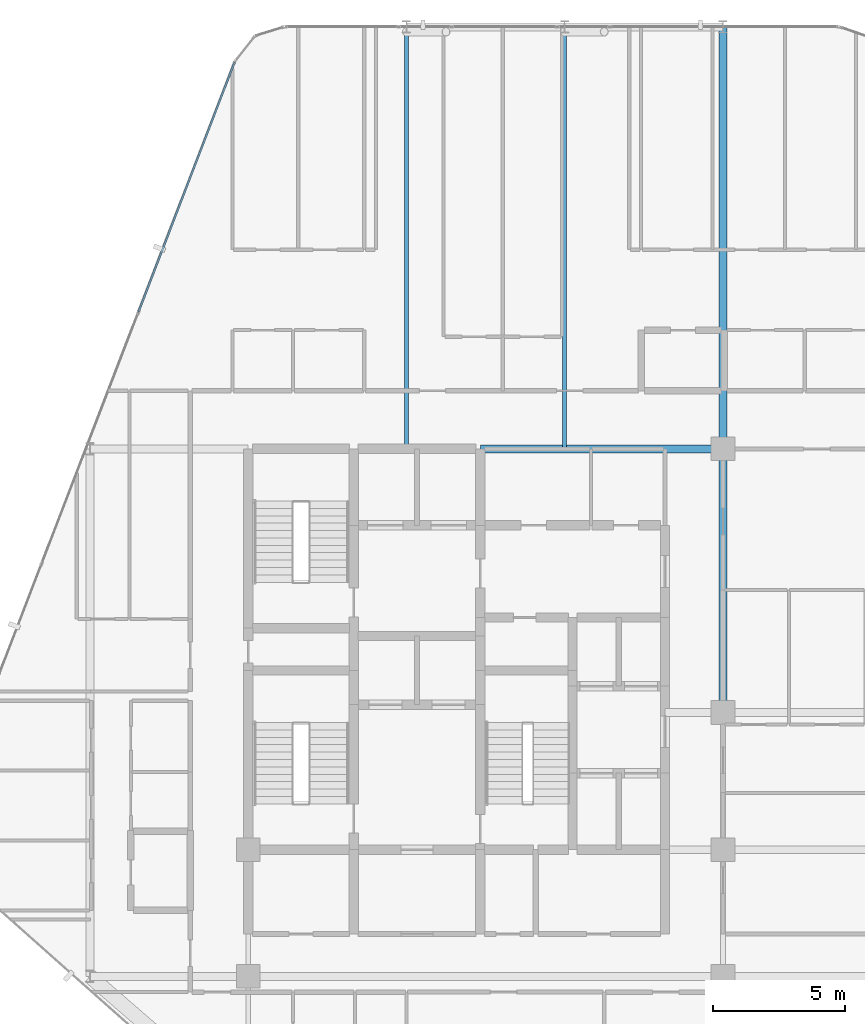
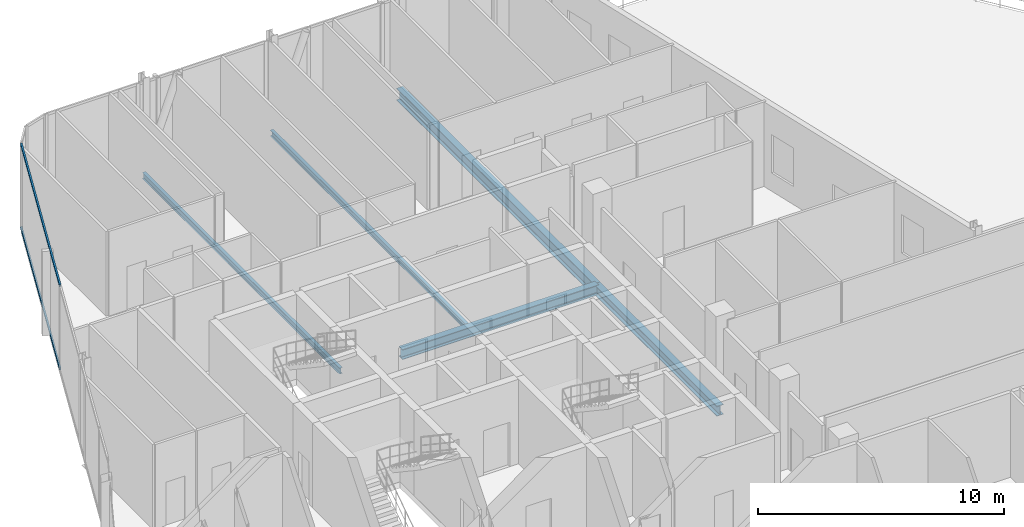
# One storey, part 16 of 28: 5 beams, 2 members, 1 element without a shape of its own.
"""IFC4 building model written with IfcOpenShell, lengths in metres."""

from ifc_helpers import new_model, si_unit, direction, frame, origin, origin_2d, place, context, subcontext, project, spatial, hollow_rectangle, i_section, extrude, material, layer, layer_set, material_profile, profile_set, type_object, element, aggregate, save


model = new_model("IFC4")

# Units and contexts
model_context = context("Model", 3, precision=1e-05, world=origin(), true_north=direction((0.0, 1.0)))
body_context = subcontext(model_context, "Body", "Model", "MODEL_VIEW")
ifc_project = project(units=[si_unit("LENGTHUNIT", "METRE"), si_unit("AREAUNIT", "SQUARE_METRE"), si_unit("VOLUMEUNIT", "CUBIC_METRE"), si_unit("PLANEANGLEUNIT", "RADIAN"), si_unit("MASSUNIT", "GRAM", prefix="KILO")], contexts=[model_context])

# Site, building, storey
site_placement = place(None, origin())
site = spatial("IfcSite", under=ifc_project, at=site_placement, CompositionType="ELEMENT")
building_placement = place(site_placement, origin())
building = spatial("IfcBuilding", under=site, at=building_placement, Name="Keshet Zoharim Tower", CompositionType="ELEMENT")
storey_placement = place(building_placement, frame((0.0, 0.0, 164.60009765625)))
storey = spatial("IfcBuildingStorey", under=building, at=storey_placement, Name="L40", CompositionType="ELEMENT", Elevation=164.60009765625)

# Beams
ifc_material_1 = material(Name="Steel S355", Category="steel")
ifc_material_profile_1 = material_profile(ifc_material_1, i_section(OverallWidth=0.14990234375, OverallDepth=0.300048828125, WebThickness=0.007080078125, FlangeThickness=0.0107421875, FilletRadius=0.014892578125, at=origin_2d()), Name="IPE300")
ifc_profile_set_1 = profile_set([ifc_material_profile_1], Name="Steel S355")
beam_type_1 = type_object("IfcBeamType", Name="BM-JST-IP300", PredefinedType="JOIST", material=ifc_profile_set_1)
for number, where, z_axis, x_axis, name in (
    (1, (21.0, 37.89990234375, -0.460205078125), (0.0, 1.0, 0.0), (-1.0, 0.0, 0.0), "L40 Secondary Floor Joist J-001"),
    (2, (27.0, 37.89990234375, -0.460205078125), (0.0, 1.0, 0.0), (-1.0, 0.0, 0.0), "L40 Secondary Floor Joist J-002"),
):
    element("IfcBeam", number, at=place(storey_placement, frame(where, z_axis=z_axis, x_axis=x_axis)), inside=storey, type_object=beam_type_1, Name=name, PredefinedType="JOIST", context=body_context, shape_type="SweptSolid", body=[
        extrude(i_section(OverallWidth=0.14990234375, OverallDepth=0.300048828125, WebThickness=0.007080078125, FlangeThickness=0.0107421875, FilletRadius=0.014892578125, at=origin_2d()), origin(), (0.0, 0.0, 1.0), 16.0),
    ])
ifc_material_profile_2 = material_profile(ifc_material_1, i_section(OverallWidth=0.300048828125, OverallDepth=0.60009765625, WebThickness=0.015380859375, FlangeThickness=0.030029296875, FilletRadius=0.027099609375, at=origin_2d()), Name="HEB600")
ifc_profile_set_2 = profile_set([ifc_material_profile_2], Name="Steel S355")
beam_type_2 = type_object("IfcBeamType", Name="BM-LNG-HB600", PredefinedType="BEAM", material=ifc_profile_set_2)
beam_1_placement = place(storey_placement, frame((33.0, 37.89990234375, -0.610107421875), z_axis=(0.0, 1.0, 0.0), x_axis=(-1.0, 0.0, 0.0)))
element("IfcBeam", 3, at=beam_1_placement, inside=storey, type_object=beam_type_2, Name="L40 Primary Girder Y-011", PredefinedType="BEAM", context=body_context, shape_type="SweptSolid", body=[
    extrude(i_section(OverallWidth=0.300048828125, OverallDepth=0.60009765625, WebThickness=0.015380859375, FlangeThickness=0.030029296875, FilletRadius=0.027099609375, at=origin_2d()), origin(), (0.0, 0.0, 1.0), 16.0),
])
ifc_material_profile_3 = material_profile(ifc_material_1, i_section(OverallWidth=0.300048828125, OverallDepth=0.5, WebThickness=0.014404296875, FlangeThickness=0.028076171875, FilletRadius=0.027099609375, at=origin_2d()), Name="HEB500")
ifc_profile_set_3 = profile_set([ifc_material_profile_3], Name="Steel S355")
beam_type_3 = type_object("IfcBeamType", Name="BM-MED-HB500", PredefinedType="BEAM", material=ifc_profile_set_3)
beam_2_placement = place(storey_placement, frame((23.800048828125, 37.89990234375, -0.56005859375), z_axis=(1.0, 0.0, 0.0), x_axis=(0.0, 1.0, 0.0)))
element("IfcBeam", 4, at=beam_2_placement, inside=storey, type_object=beam_type_3, Name="L40 Primary Girder X-018", PredefinedType="BEAM", context=body_context, shape_type="SweptSolid", body=[
    extrude(i_section(OverallWidth=0.300048828125, OverallDepth=0.5, WebThickness=0.014404296875, FlangeThickness=0.028076171875, FilletRadius=0.027099609375, at=origin_2d()), origin(), (0.0, 0.0, 1.0), 9.199951171875),
])
beam_3_placement = place(storey_placement, frame((33.0, 27.89990234375, -0.56005859375), z_axis=(0.0, 1.0, 0.0), x_axis=(-1.0, 0.0, 0.0)))
element("IfcBeam", 5, at=beam_3_placement, inside=storey, type_object=beam_type_3, Name="L40 Primary Girder Y-010", PredefinedType="BEAM", context=body_context, shape_type="SweptSolid", body=[
    extrude(i_section(OverallWidth=0.300048828125, OverallDepth=0.5, WebThickness=0.014404296875, FlangeThickness=0.028076171875, FilletRadius=0.027099609375, at=origin_2d()), origin(), (0.0, 0.0, 1.0), 10.0),
])

# Curtain wall, members
ifc_material_2 = material(Name="Aluminium 6063-T6", Category="aluminium")
ifc_layer = layer(ifc_material_2, 0.139892578125)
ifc_layer_set = layer_set([ifc_layer], Name="Aluminium 6063-T6")
curtain_wall_type = type_object("IfcCurtainWallType", Name="CW-SYS-05", PredefinedType="NOTDEFINED", material=ifc_layer_set)
curtain_wall_placement = place(storey_placement, origin())
curtain_wall = element("IfcCurtainWall", 6, at=curtain_wall_placement, inside=storey, type_object=curtain_wall_type, Name="L40 Unitised Curtain Wall 13", PredefinedType="NOTDEFINED")
ifc_material_profile_4 = material_profile(ifc_material_2, hollow_rectangle(XDim=0.074951171875, YDim=0.1201171875, WallThickness=0.00390625, at=origin_2d()), Name="TRN-75x120")
ifc_profile_set_4 = profile_set([ifc_material_profile_4], Name="Aluminium 6063-T6")
member_type = type_object("IfcMemberType", Name="CWT-T12", PredefinedType="USERDEFINED", material=ifc_profile_set_4)
member_1_placement = place(storey_placement, frame((10.849609375, 43.10888671875, 0.034912109375), z_axis=(0.358985546764, 0.933343118694, 0.0), x_axis=(-0.933343118694, 0.358985546764, 0.0)))
member_1 = element("IfcMember", 7, at=member_1_placement, type_object=member_type, Name="CW-05 transom 3.1", ObjectType="TRANSOM", PredefinedType="USERDEFINED", context=body_context, shape_type="SweptSolid", body=[
    extrude(hollow_rectangle(XDim=0.074951171875, YDim=0.1201171875, WallThickness=0.00390625, at=origin_2d()), origin(), (0.0, 0.0, 1.0), 10.118408203125),
])
member_2_placement = place(storey_placement, frame((10.849609375, 43.10888671875, 4.15478515625), z_axis=(0.358985546764, 0.933343118694, 0.0), x_axis=(-0.933343118694, 0.358985546764, 0.0)))
member_2 = element("IfcMember", 8, at=member_2_placement, type_object=member_type, Name="CW-05 transom 3.2", ObjectType="TRANSOM", PredefinedType="USERDEFINED", context=body_context, shape_type="SweptSolid", body=[
    extrude(hollow_rectangle(XDim=0.074951171875, YDim=0.1201171875, WallThickness=0.00390625, at=origin_2d()), origin(), (0.0, 0.0, 1.0), 10.118408203125),
])
aggregate(curtain_wall, [member_1, member_2])

save(model, "model.ifc")
